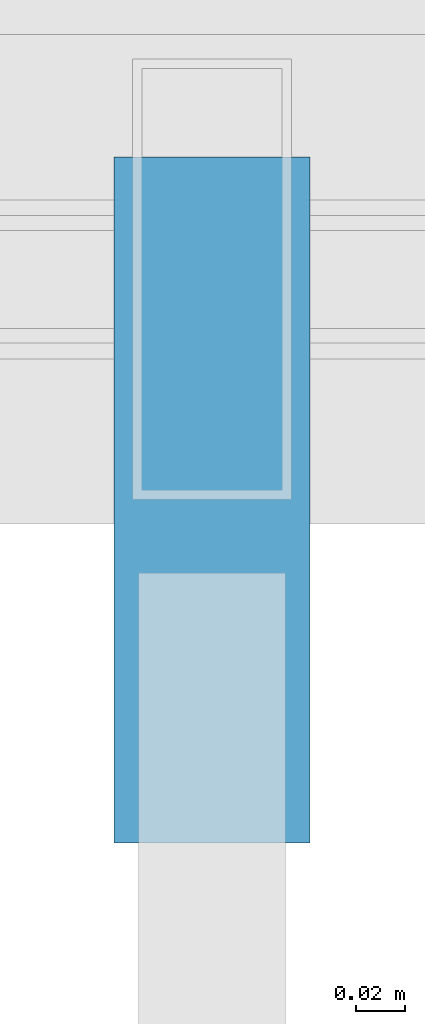
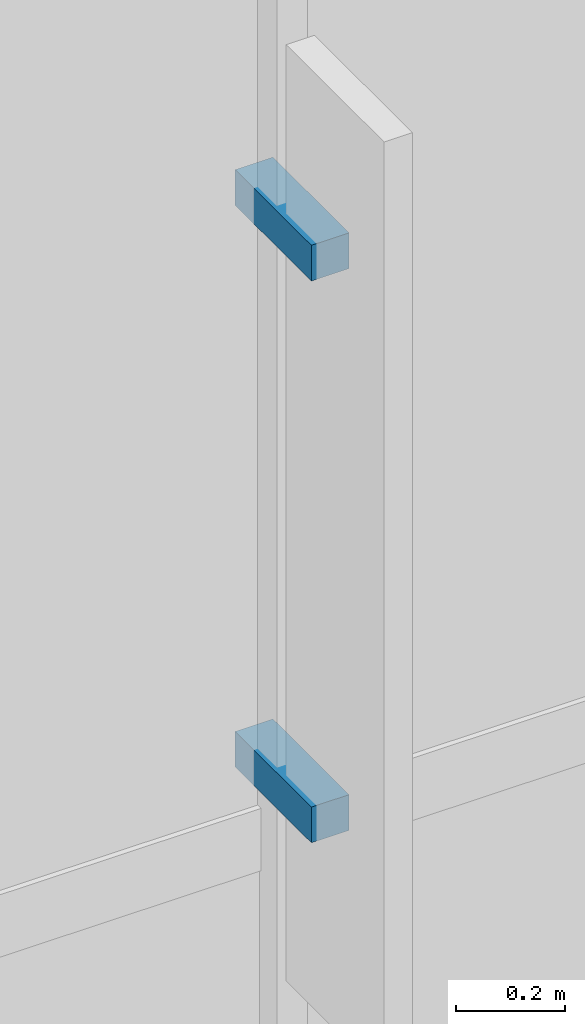
# One storey, part 101 of 113: 2 discrete accessories.
"""IFC4 building model written with IfcOpenShell, lengths in metres."""

from ifc_helpers import new_model, si_unit, direction, frame, origin, origin_2d, place, context, subcontext, project, spatial, rectangle, extrude, material, type_object, element, save


model = new_model("IFC4")

# Units and contexts
model_context = context("Model", 3, precision=1e-05, world=origin(), true_north=direction((0.0, 1.0)))
body_context = subcontext(model_context, "Body", "Model", "MODEL_VIEW")
ifc_project = project(units=[si_unit("LENGTHUNIT", "METRE"), si_unit("AREAUNIT", "SQUARE_METRE"), si_unit("VOLUMEUNIT", "CUBIC_METRE"), si_unit("PLANEANGLEUNIT", "RADIAN"), si_unit("MASSUNIT", "GRAM", prefix="KILO")], contexts=[model_context])

# Site, building, storey
site_placement = place(None, origin())
site = spatial("IfcSite", under=ifc_project, at=site_placement, CompositionType="ELEMENT")
building_placement = place(site_placement, origin())
building = spatial("IfcBuilding", under=site, at=building_placement, Name="Kazanami Central Library", CompositionType="ELEMENT")
storey_placement = place(building_placement, frame((0.0, 0.0, 8.800048828125)))
storey = spatial("IfcBuildingStorey", under=building, at=storey_placement, Name="L03", CompositionType="ELEMENT", Elevation=8.800048828125)

# Discrete accessories
ifc_material = material(Name="Stainless Steel SUS304", Category="steel")
discrete_accessory_type = type_object("IfcDiscreteAccessoryType", Name="ACC-BRK-1", PredefinedType="BRACKET", material=ifc_material)
for number, where, z_axis, x_axis, name in (
    (1, (31.5, -0.090087890625, 0.89501953125), (0.0, 0.0, 1.0), (1.0, 0.0, 0.0), "Solar Fin Outrigger Bracket L03 S-A-03.1.1"),
    (2, (31.5, -0.090087890625, 2.155029296875), (0.0, 0.0, 1.0), (1.0, 0.0, 0.0), "Solar Fin Outrigger Bracket L03 S-A-03.1.2"),
):
    element("IfcDiscreteAccessory", number, at=place(storey_placement, frame(where, z_axis=z_axis, x_axis=x_axis)), inside=storey, type_object=discrete_accessory_type, Name=name, PredefinedType="BRACKET", context=body_context, shape_type="SweptSolid", body=[
        extrude(rectangle(XDim=0.080078125, YDim=0.280029296875, at=origin_2d()), origin(), (0.0, 0.0, 1.0), 0.080078125),
    ])

save(model, "model.ifc")
